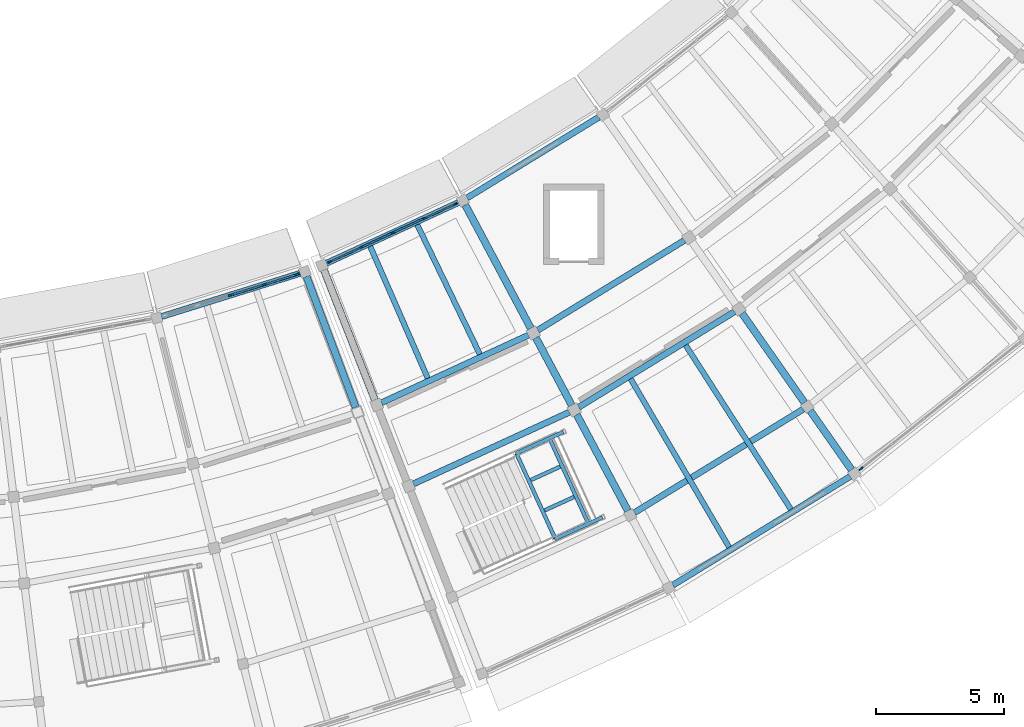
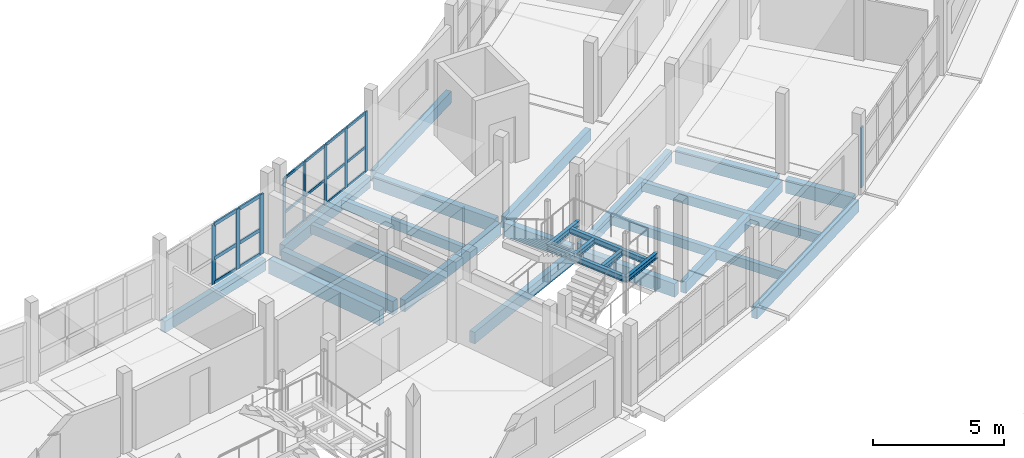
# One storey, part 28 of 66: 27 members, 26 beams, 3 elements without a shape of their own.
"""IFC4 building model written with IfcOpenShell, lengths in metres."""

from ifc_helpers import new_model, si_unit, direction, frame, origin, origin_2d, place, context, subcontext, project, spatial, rectangle, i_section, extrude, material, layer, layer_set, material_profile, profile_set, type_object, element, aggregate, save


model = new_model("IFC4")

# Units and contexts
model_context = context("Model", 3, precision=1e-05, world=origin(), true_north=direction((0.0, 1.0)))
body_context = subcontext(model_context, "Body", "Model", "MODEL_VIEW")
ifc_project = project(units=[si_unit("LENGTHUNIT", "METRE"), si_unit("AREAUNIT", "SQUARE_METRE"), si_unit("VOLUMEUNIT", "CUBIC_METRE"), si_unit("PLANEANGLEUNIT", "RADIAN"), si_unit("MASSUNIT", "GRAM", prefix="KILO")], contexts=[model_context])

# Site, building, storey
site_placement = place(None, origin())
site = spatial("IfcSite", under=ifc_project, at=site_placement, CompositionType="ELEMENT")
building_placement = place(site_placement, origin())
building = spatial("IfcBuilding", under=site, at=building_placement, Name="Caldaven Crescent School", CompositionType="ELEMENT")
storey_placement = place(building_placement, frame((0.0, 0.0, 8.159912109375)))
storey = spatial("IfcBuildingStorey", under=building, at=storey_placement, Name="L02", CompositionType="ELEMENT", Elevation=8.159912109375)

# Beams
ifc_material_1 = material(Name="Glulam MLE24h (GL28h)", Category="wood")
ifc_material_profile_1 = material_profile(ifc_material_1, rectangle(XDim=0.239990234375, YDim=0.5400390625, at=origin_2d()), Name="MLE 240x540")
ifc_profile_set_1 = profile_set([ifc_material_profile_1], Name="Glulam MLE24h (GL28h)")
beam_type_1 = type_object("IfcBeamType", Name="BM-GL54", PredefinedType="BEAM", material=ifc_profile_set_1)
beam_1_placement = place(storey_placement, frame((109.453369140625, 41.802978515625, -0.52001953125), z_axis=(0.908521604568, 0.417837880083, 0.0), x_axis=(-0.417837880083, 0.908521604568, 0.0)))
element("IfcBeam", 1, at=beam_1_placement, inside=storey, type_object=beam_type_1, Name="BMT-V4E-L02-1300", PredefinedType="BEAM", context=body_context, shape_type="SweptSolid", body=[
    extrude(rectangle(XDim=0.239990234375, YDim=0.5400390625, at=origin_2d()), origin(), (0.0, 0.0, 1.0), 6.307373046875),
])
beam_2_placement = place(storey_placement, frame((110.693603515625, 38.637451171875, -0.52001953125), z_axis=(0.908529189987, 0.41782138641, 0.0), x_axis=(-0.41782138641, 0.908529189987, 0.0)))
element("IfcBeam", 2, at=beam_2_placement, inside=storey, type_object=beam_type_1, Name="BMT-V4E-L02-1301", PredefinedType="BEAM", context=body_context, shape_type="SweptSolid", body=[
    extrude(rectangle(XDim=0.239990234375, YDim=0.5400390625, at=origin_2d()), origin(), (0.0, 0.0, 1.0), 6.69921875),
])
beam_3_placement = place(storey_placement, frame((115.544921875, 44.63134765625, -0.52001953125), z_axis=(0.85265146304, 0.52248012649, 0.0), x_axis=(-0.52248012649, 0.85265146304, 0.0)))
element("IfcBeam", 3, at=beam_3_placement, inside=storey, type_object=beam_type_1, Name="BMT-V4E-L02-1307", PredefinedType="BEAM", context=body_context, shape_type="SweptSolid", body=[
    extrude(rectangle(XDim=0.239990234375, YDim=0.5400390625, at=origin_2d()), origin(), (0.0, 0.0, 1.0), 6.708251953125),
])
beam_4_placement = place(storey_placement, frame((117.14111328125, 41.629150390625, -0.52001953125), z_axis=(0.852628835063, 0.522517051989, 0.0), x_axis=(-0.522517051989, 0.852628835063, 0.0)))
element("IfcBeam", 4, at=beam_4_placement, inside=storey, type_object=beam_type_1, Name="BMT-V4E-L02-1308", PredefinedType="BEAM", context=body_context, shape_type="SweptSolid", body=[
    extrude(rectangle(XDim=0.239990234375, YDim=0.5400390625, at=origin_2d()), origin(), (0.0, 0.0, 1.0), 7.12353515625),
])
beam_5_placement = place(storey_placement, frame((119.3115234375, 37.515625, -0.52001953125), z_axis=(0.852628517966, 0.522517569419, 0.0), x_axis=(-0.522517569419, 0.852628517966, 0.0)))
element("IfcBeam", 5, at=beam_5_placement, inside=storey, type_object=beam_type_1, Name="BMT-V4E-L02-1309", PredefinedType="BEAM", context=body_context, shape_type="SweptSolid", body=[
    extrude(rectangle(XDim=0.239990234375, YDim=0.5400390625, at=origin_2d()), origin(), (0.0, 0.0, 1.0), 7.72119140625),
])
ifc_material_profile_2 = material_profile(ifc_material_1, rectangle(XDim=0.280029296875, YDim=0.6298828125, at=origin_2d()), Name="MLE 280x630")
ifc_profile_set_2 = profile_set([ifc_material_profile_2], Name="Glulam MLE24h (GL28h)")
beam_type_2 = type_object("IfcBeamType", Name="BM-GL63", PredefinedType="BEAM", material=ifc_profile_set_2)
for number, where, z_axis, x_axis, name in (
    (6, (107.202392578125, 46.9873046875, -0.56494140625), (0.364799249955, -0.931086197531, 0.0), (0.931086197531, 0.364799249955, 0.0), "BMR-V4E-L02-1275"),
    (7, (112.712890625, 49.521728515625, -0.56494140625), (0.469468235073, -0.882949362227, 0.0), (0.882949362227, 0.469468235073, 0.0), "BMR-V4E-L02-1279"),
):
    element("IfcBeam", number, at=place(storey_placement, frame(where, z_axis=z_axis, x_axis=x_axis)), inside=storey, type_object=beam_type_2, Name=name, PredefinedType="BEAM", context=body_context, shape_type="SweptSolid", body=[
        extrude(rectangle(XDim=0.280029296875, YDim=0.6298828125, at=origin_2d()), origin(), (0.0, 0.0, 1.0), 5.455078125),
    ])
beam_6_placement = place(storey_placement, frame((115.466552734375, 44.34326171875, -0.56494140625), z_axis=(0.46941390334, -0.882978248515, 0.0), x_axis=(0.882978248515, 0.46941390334, 0.0)))
element("IfcBeam", 8, at=beam_6_placement, inside=storey, type_object=beam_type_2, Name="BMR-V4E-L02-1280", PredefinedType="BEAM", context=body_context, shape_type="SweptSolid", body=[
    extrude(rectangle(XDim=0.280029296875, YDim=0.6298828125, at=origin_2d()), origin(), (0.0, 0.0, 1.0), 2.989990234375),
])
for number, where, z_axis, x_axis, name in (
    (9, (117.062744140625, 41.341064453125, -0.56494140625), (0.469474034945, -0.882946278384, 0.0), (0.882946278384, 0.469474034945, 0.0), "BMR-V4E-L02-1281"),
    (10, (123.50732421875, 45.290283203125, -0.56494140625), (0.573570167525, -0.819156433732, 0.0), (0.819156433732, 0.573570167525, 0.0), "BMR-V4E-L02-1285"),
):
    element("IfcBeam", number, at=place(storey_placement, frame(where, z_axis=z_axis, x_axis=x_axis)), inside=storey, type_object=beam_type_2, Name=name, PredefinedType="BEAM", context=body_context, shape_type="SweptSolid", body=[
        extrude(rectangle(XDim=0.280029296875, YDim=0.6298828125, at=origin_2d()), origin(), (0.0, 0.0, 1.0), 4.2548828125),
    ])
beam_7_placement = place(storey_placement, frame((126.165771484375, 41.49365234375, -0.56494140625), z_axis=(0.573555306454, -0.819166839196, 0.0), x_axis=(0.819166839196, 0.573555306454, 0.0)))
element("IfcBeam", 11, at=beam_7_placement, inside=storey, type_object=beam_type_2, Name="BMR-V4E-L02-1286", PredefinedType="BEAM", context=body_context, shape_type="SweptSolid", body=[
    extrude(rectangle(XDim=0.280029296875, YDim=0.6298828125, at=origin_2d()), origin(), (0.0, 0.0, 1.0), 2.820068359375),
])
ifc_material_profile_3 = material_profile(ifc_material_1, rectangle(XDim=0.280029296875, YDim=0.68994140625, at=origin_2d()), Name="MLE 280x690")
ifc_profile_set_3 = profile_set([ifc_material_profile_3], Name="Glulam MLE24h (GL28h)")
beam_type_3 = type_object("IfcBeamType", Name="BM-GL69", PredefinedType="BEAM", material=ifc_profile_set_3)
beam_8_placement = place(storey_placement, frame((106.525634765625, 46.7275390625, -0.594970703125), z_axis=(0.351957103113, -0.936016131041, 0.0), x_axis=(0.936016131041, 0.351957103113, 0.0)))
element("IfcBeam", 12, at=beam_8_placement, inside=storey, type_object=beam_type_3, Name="BMR-V5-L02-1224", PredefinedType="BEAM", context=body_context, shape_type="SweptSolid", body=[
    extrude(rectangle(XDim=0.280029296875, YDim=0.68994140625, at=origin_2d()), origin(), (0.0, 0.0, 1.0), 5.455078125),
])
ifc_material_2 = material(Name="Steel ASTM A572 Grade 50", Category="steel")
ifc_material_profile_4 = material_profile(ifc_material_2, i_section(OverallWidth=0.14599609375, OverallDepth=0.258056640625, WebThickness=0.006103515625, FlangeThickness=0.009033203125, FilletRadius=0.011962890625, at=origin_2d()), Name="W250x33")
ifc_profile_set_4 = profile_set([ifc_material_profile_4], Name="Steel ASTM A572 Grade 50")
beam_type_4 = type_object("IfcBeamType", Name="BM-W25", PredefinedType="BEAM", material=ifc_profile_set_4)
beam_9_placement = place(storey_placement, frame((116.19921875, 36.4853515625, 1.546142578125), z_axis=(0.909970452599, 0.414673094614, 0.0), x_axis=(-0.414673094614, 0.909970452599, 0.0)))
element("IfcBeam", 13, at=beam_9_placement, inside=storey, type_object=beam_type_4, Name="BM-STSIDE-ST4-L02-SL", PredefinedType="BEAM", context=body_context, shape_type="SweptSolid", body=[
    extrude(i_section(OverallWidth=0.14599609375, OverallDepth=0.258056640625, WebThickness=0.006103515625, FlangeThickness=0.009033203125, FilletRadius=0.011962890625, at=origin_2d()), origin(), (0.0, 0.0, 1.0), 2.050048828125),
])
beam_10_placement = place(storey_placement, frame((114.681640625, 39.81591796875, 1.546142578125), z_axis=(0.90994997121, 0.414718036617, 0.0), x_axis=(-0.414718036617, 0.90994997121, 0.0)))
element("IfcBeam", 14, at=beam_10_placement, inside=storey, type_object=beam_type_4, Name="BM-STSIDE-ST4-L02-SR", PredefinedType="BEAM", context=body_context, shape_type="SweptSolid", body=[
    extrude(i_section(OverallWidth=0.14599609375, OverallDepth=0.258056640625, WebThickness=0.006103515625, FlangeThickness=0.009033203125, FilletRadius=0.011962890625, at=origin_2d()), origin(), (0.0, 0.0, 1.0), 2.0498046875),
])
for number, where, z_axis, x_axis, name in (
    (15, (116.2265625, 36.497802734375, 1.546142578125), (-0.414692271789, 0.909961713326, 0.0), (-0.909961713326, -0.414692271789, 0.0), "BM-STLND-ST4-L02-IN"),
    (16, (117.518798828125, 37.086669921875, 1.546142578125), (-0.414692271789, 0.909961713326, 0.0), (-0.909961713326, -0.414692271789, 0.0), "BM-STLND-ST4-L02-OUT"),
):
    element("IfcBeam", number, at=place(storey_placement, frame(where, z_axis=z_axis, x_axis=x_axis)), inside=storey, type_object=beam_type_4, Name=name, PredefinedType="BEAM", context=body_context, shape_type="SweptSolid", body=[
        extrude(i_section(OverallWidth=0.14599609375, OverallDepth=0.258056640625, WebThickness=0.006103515625, FlangeThickness=0.009033203125, FilletRadius=0.011962890625, at=origin_2d()), origin(), (0.0, 0.0, 1.0), 3.66015625),
    ])

# Curtain wall, members
ifc_material_3 = material(Name="Anodised aluminium AA 6063-T6 and low-E double glazing", Category="aluminium")
ifc_layer_1 = layer(ifc_material_3, 0.169921875)
ifc_layer_set_1 = layer_set([ifc_layer_1], Name="Anodised aluminium AA 6063-T6 and low-E double glazing")
curtain_wall_type_1 = type_object("IfcCurtainWallType", Name="CW-SYS1", PredefinedType="NOTDEFINED", material=ifc_layer_set_1)
curtain_wall_1_placement = place(storey_placement, origin())
curtain_wall_1 = element("IfcCurtainWall", 17, at=curtain_wall_1_placement, inside=storey, type_object=curtain_wall_type_1, Name="CW-L02-149", PredefinedType="NOTDEFINED")
ifc_material_4 = material(Name="Anodised aluminium AA 6063-T6", Category="aluminium")
ifc_material_profile_5 = material_profile(ifc_material_4, rectangle(XDim=0.06005859375, YDim=0.14990234375, at=origin_2d()), Name="CWM 60x150")
ifc_profile_set_5 = profile_set([ifc_material_profile_5], Name="Anodised aluminium AA 6063-T6")
member_type_1 = type_object("IfcMemberType", Name="CWM-T1", PredefinedType="MULLION", material=ifc_profile_set_5)
member_1_placement = place(storey_placement, frame((107.432861328125, 47.30224609375, 0.0), z_axis=(0.0, 0.0, 1.0), x_axis=(-0.417824094306, 0.908527944654, 0.0)))
member_1 = element("IfcMember", 18, at=member_1_placement, type_object=member_type_1, Name="CW1 mullion 1", PredefinedType="MULLION", context=body_context, shape_type="SweptSolid", body=[
    extrude(rectangle(XDim=0.06005859375, YDim=0.14990234375, at=origin_2d()), origin(), (0.0, 0.0, 1.0), 2.780029296875),
])
member_2_placement = place(storey_placement, frame((108.64208984375, 47.858154296875, 0.0), z_axis=(0.0, 0.0, 1.0), x_axis=(-0.417824094306, 0.908527944654, 0.0)))
member_2 = element("IfcMember", 19, at=member_2_placement, type_object=member_type_1, Name="CW1 mullion 2", PredefinedType="MULLION", context=body_context, shape_type="SweptSolid", body=[
    extrude(rectangle(XDim=0.06005859375, YDim=0.14990234375, at=origin_2d()), origin(), (0.0, 0.0, 1.0), 2.780029296875),
])
member_3_placement = place(storey_placement, frame((109.87841796875, 48.4267578125, 0.0), z_axis=(0.0, 0.0, 1.0), x_axis=(-0.417824094306, 0.908527944654, 0.0)))
member_3 = element("IfcMember", 20, at=member_3_placement, type_object=member_type_1, Name="CW1 mullion 3", PredefinedType="MULLION", context=body_context, shape_type="SweptSolid", body=[
    extrude(rectangle(XDim=0.06005859375, YDim=0.14990234375, at=origin_2d()), origin(), (0.0, 0.0, 1.0), 2.780029296875),
])
member_4_placement = place(storey_placement, frame((111.11474609375, 48.995361328125, 0.0), z_axis=(0.0, 0.0, 1.0), x_axis=(-0.417824094306, 0.908527944654, 0.0)))
member_4 = element("IfcMember", 21, at=member_4_placement, type_object=member_type_1, Name="CW1 mullion 4", PredefinedType="MULLION", context=body_context, shape_type="SweptSolid", body=[
    extrude(rectangle(XDim=0.06005859375, YDim=0.14990234375, at=origin_2d()), origin(), (0.0, 0.0, 1.0), 2.780029296875),
])
member_5_placement = place(storey_placement, frame((112.323974609375, 49.551513671875, 0.0), z_axis=(0.0, 0.0, 1.0), x_axis=(-0.417824094306, 0.908527944654, 0.0)))
member_5 = element("IfcMember", 22, at=member_5_placement, type_object=member_type_1, Name="CW1 mullion 5", PredefinedType="MULLION", context=body_context, shape_type="SweptSolid", body=[
    extrude(rectangle(XDim=0.06005859375, YDim=0.14990234375, at=origin_2d()), origin(), (0.0, 0.0, 1.0), 2.780029296875),
])

# Curtain wall, member
curtain_wall_2_placement = place(storey_placement, origin())
curtain_wall_2 = element("IfcCurtainWall", 23, at=curtain_wall_2_placement, inside=storey, type_object=curtain_wall_type_1, Name="CW-L02-152", PredefinedType="NOTDEFINED")
ifc_material_profile_6 = material_profile(ifc_material_4, rectangle(XDim=0.06494140625, YDim=0.179931640625, at=origin_2d()), Name="CWM 65x180")
ifc_profile_set_6 = profile_set([ifc_material_profile_6], Name="Anodised aluminium AA 6063-T6")
member_type_2 = type_object("IfcMemberType", Name="CWM-T2", PredefinedType="MULLION", material=ifc_profile_set_6)
member_6_placement = place(storey_placement, frame((128.15234375, 39.23486328125, 0.0), z_axis=(0.0, 0.0, 1.0), x_axis=(-0.622514235279, 0.782608476107, 0.0)))
member_6 = element("IfcMember", 24, at=member_6_placement, type_object=member_type_2, Name="CW1 mullion 1", PredefinedType="MULLION", context=body_context, shape_type="SweptSolid", body=[
    extrude(rectangle(XDim=0.06494140625, YDim=0.179931640625, at=origin_2d()), origin(), (0.0, 0.0, 1.0), 2.780029296875),
])
aggregate(curtain_wall_2, [member_6])

# Curtain wall, members
ifc_layer_2 = layer(ifc_material_3, 0.22998046875)
ifc_layer_set_2 = layer_set([ifc_layer_2], Name="Anodised aluminium AA 6063-T6 and low-E double glazing")
curtain_wall_type_2 = type_object("IfcCurtainWallType", Name="CW-SYS4", PredefinedType="NOTDEFINED", material=ifc_layer_set_2)
curtain_wall_3_placement = place(storey_placement, origin())
curtain_wall_3 = element("IfcCurtainWall", 25, at=curtain_wall_3_placement, inside=storey, type_object=curtain_wall_type_2, Name="CW-L02-148", PredefinedType="NOTDEFINED")
ifc_material_profile_7 = material_profile(ifc_material_4, rectangle(XDim=0.070068359375, YDim=0.2099609375, at=origin_2d()), Name="CWM 70x210")
ifc_profile_set_7 = profile_set([ifc_material_profile_7], Name="Anodised aluminium AA 6063-T6")
member_type_3 = type_object("IfcMemberType", Name="CWM-T3", PredefinedType="MULLION", material=ifc_profile_set_7)
member_7_placement = place(storey_placement, frame((103.57373046875, 46.0068359375, 0.0), z_axis=(0.0, 0.0, 1.0), x_axis=(-0.297419758694, 0.954746818344, 0.0)))
member_7 = element("IfcMember", 26, at=member_7_placement, type_object=member_type_3, Name="CW4 mullion 3", PredefinedType="MULLION", context=body_context, shape_type="SweptSolid", body=[
    extrude(rectangle(XDim=0.070068359375, YDim=0.2099609375, at=origin_2d()), origin(), (0.0, 0.0, 1.0), 2.780029296875),
])
member_8_placement = place(storey_placement, frame((104.873046875, 46.411376953125, 0.0), z_axis=(0.0, 0.0, 1.0), x_axis=(-0.297419758694, 0.954746818344, 0.0)))
member_8 = element("IfcMember", 27, at=member_8_placement, type_object=member_type_3, Name="CW4 mullion 4", PredefinedType="MULLION", context=body_context, shape_type="SweptSolid", body=[
    extrude(rectangle(XDim=0.070068359375, YDim=0.2099609375, at=origin_2d()), origin(), (0.0, 0.0, 1.0), 2.780029296875),
])
member_9_placement = place(storey_placement, frame((106.138916015625, 46.805908203125, 0.0), z_axis=(0.0, 0.0, 1.0), x_axis=(-0.297419758694, 0.954746818344, 0.0)))
member_9 = element("IfcMember", 28, at=member_9_placement, type_object=member_type_3, Name="CW4 mullion 5", PredefinedType="MULLION", context=body_context, shape_type="SweptSolid", body=[
    extrude(rectangle(XDim=0.070068359375, YDim=0.2099609375, at=origin_2d()), origin(), (0.0, 0.0, 1.0), 2.780029296875),
])

# Member
ifc_material_profile_8 = material_profile(ifc_material_4, rectangle(XDim=0.06005859375, YDim=0.1201171875, at=origin_2d()), Name="CWT 60x120")
ifc_profile_set_8 = profile_set([ifc_material_profile_8], Name="Anodised aluminium AA 6063-T6")
member_type_4 = type_object("IfcMemberType", Name="CWT-T1", PredefinedType="USERDEFINED", material=ifc_profile_set_8)
member_10_placement = place(storey_placement, frame((107.460205078125, 47.314697265625, 0.030029296875), z_axis=(0.908515250434, 0.417851695854, 0.0), x_axis=(-0.417851695854, 0.908515250434, 0.0)))
member_10 = element("IfcMember", 29, at=member_10_placement, type_object=member_type_4, Name="CW1 transom 1.1", ObjectType="TRANSOM", PredefinedType="USERDEFINED", context=body_context, shape_type="SweptSolid", body=[
    extrude(rectangle(XDim=0.06005859375, YDim=0.1201171875, at=origin_2d()), origin(), (0.0, 0.0, 1.0), 1.270751953125),
])

member_11_placement = place(storey_placement, frame((107.460205078125, 47.314697265625, 1.16796875), z_axis=(0.908515250434, 0.417851695854, 0.0), x_axis=(-0.417851695854, 0.908515250434, 0.0)))
member_11 = element("IfcMember", 30, at=member_11_placement, type_object=member_type_4, Name="CW1 transom 1.2", ObjectType="TRANSOM", PredefinedType="USERDEFINED", context=body_context, shape_type="SweptSolid", body=[
    extrude(rectangle(XDim=0.06005859375, YDim=0.1201171875, at=origin_2d()), origin(), (0.0, 0.0, 1.0), 1.270751953125),
])

member_12_placement = place(storey_placement, frame((107.460205078125, 47.314697265625, 2.75), z_axis=(0.908515250434, 0.417851695854, 0.0), x_axis=(-0.417851695854, 0.908515250434, 0.0)))
member_12 = element("IfcMember", 31, at=member_12_placement, type_object=member_type_4, Name="CW1 transom 1.3", ObjectType="TRANSOM", PredefinedType="USERDEFINED", context=body_context, shape_type="SweptSolid", body=[
    extrude(rectangle(XDim=0.06005859375, YDim=0.1201171875, at=origin_2d()), origin(), (0.0, 0.0, 1.0), 1.270751953125),
])

member_13_placement = place(storey_placement, frame((108.669189453125, 47.870849609375, 0.030029296875), z_axis=(0.908551721901, 0.417772388546, 0.0), x_axis=(-0.417772388546, 0.908551721901, 0.0)))
member_13 = element("IfcMember", 32, at=member_13_placement, type_object=member_type_4, Name="CW1 transom 2.1", ObjectType="TRANSOM", PredefinedType="USERDEFINED", context=body_context, shape_type="SweptSolid", body=[
    extrude(rectangle(XDim=0.06005859375, YDim=0.1201171875, at=origin_2d()), origin(), (0.0, 0.0, 1.0), 1.30078125),
])

member_14_placement = place(storey_placement, frame((108.669189453125, 47.870849609375, 1.16796875), z_axis=(0.908551721901, 0.417772388546, 0.0), x_axis=(-0.417772388546, 0.908551721901, 0.0)))
member_14 = element("IfcMember", 33, at=member_14_placement, type_object=member_type_4, Name="CW1 transom 2.2", ObjectType="TRANSOM", PredefinedType="USERDEFINED", context=body_context, shape_type="SweptSolid", body=[
    extrude(rectangle(XDim=0.06005859375, YDim=0.1201171875, at=origin_2d()), origin(), (0.0, 0.0, 1.0), 1.30078125),
])

member_15_placement = place(storey_placement, frame((108.669189453125, 47.870849609375, 2.75), z_axis=(0.908551721901, 0.417772388546, 0.0), x_axis=(-0.417772388546, 0.908551721901, 0.0)))
member_15 = element("IfcMember", 34, at=member_15_placement, type_object=member_type_4, Name="CW1 transom 2.3", ObjectType="TRANSOM", PredefinedType="USERDEFINED", context=body_context, shape_type="SweptSolid", body=[
    extrude(rectangle(XDim=0.06005859375, YDim=0.1201171875, at=origin_2d()), origin(), (0.0, 0.0, 1.0), 1.30078125),
])

member_16_placement = place(storey_placement, frame((109.90576171875, 48.439453125, 0.030029296875), z_axis=(0.908551721901, 0.417772388546, 0.0), x_axis=(-0.417772388546, 0.908551721901, 0.0)))
member_16 = element("IfcMember", 35, at=member_16_placement, type_object=member_type_4, Name="CW1 transom 3.1", ObjectType="TRANSOM", PredefinedType="USERDEFINED", context=body_context, shape_type="SweptSolid", body=[
    extrude(rectangle(XDim=0.06005859375, YDim=0.1201171875, at=origin_2d()), origin(), (0.0, 0.0, 1.0), 1.30078125),
])

member_17_placement = place(storey_placement, frame((109.90576171875, 48.439453125, 1.16796875), z_axis=(0.908551721901, 0.417772388546, 0.0), x_axis=(-0.417772388546, 0.908551721901, 0.0)))
member_17 = element("IfcMember", 36, at=member_17_placement, type_object=member_type_4, Name="CW1 transom 3.2", ObjectType="TRANSOM", PredefinedType="USERDEFINED", context=body_context, shape_type="SweptSolid", body=[
    extrude(rectangle(XDim=0.06005859375, YDim=0.1201171875, at=origin_2d()), origin(), (0.0, 0.0, 1.0), 1.30078125),
])

member_18_placement = place(storey_placement, frame((109.90576171875, 48.439453125, 2.75), z_axis=(0.908551721901, 0.417772388546, 0.0), x_axis=(-0.417772388546, 0.908551721901, 0.0)))
member_18 = element("IfcMember", 37, at=member_18_placement, type_object=member_type_4, Name="CW1 transom 3.3", ObjectType="TRANSOM", PredefinedType="USERDEFINED", context=body_context, shape_type="SweptSolid", body=[
    extrude(rectangle(XDim=0.06005859375, YDim=0.1201171875, at=origin_2d()), origin(), (0.0, 0.0, 1.0), 1.30078125),
])

member_19_placement = place(storey_placement, frame((111.14208984375, 49.008056640625, 0.030029296875), z_axis=(0.908515250434, 0.417851695854, 0.0), x_axis=(-0.417851695854, 0.908515250434, 0.0)))
member_19 = element("IfcMember", 38, at=member_19_placement, type_object=member_type_4, Name="CW1 transom 4.1", ObjectType="TRANSOM", PredefinedType="USERDEFINED", context=body_context, shape_type="SweptSolid", body=[
    extrude(rectangle(XDim=0.06005859375, YDim=0.1201171875, at=origin_2d()), origin(), (0.0, 0.0, 1.0), 1.270751953125),
])

member_20_placement = place(storey_placement, frame((111.14208984375, 49.008056640625, 1.16796875), z_axis=(0.908515250434, 0.417851695854, 0.0), x_axis=(-0.417851695854, 0.908515250434, 0.0)))
member_20 = element("IfcMember", 39, at=member_20_placement, type_object=member_type_4, Name="CW1 transom 4.2", ObjectType="TRANSOM", PredefinedType="USERDEFINED", context=body_context, shape_type="SweptSolid", body=[
    extrude(rectangle(XDim=0.06005859375, YDim=0.1201171875, at=origin_2d()), origin(), (0.0, 0.0, 1.0), 1.270751953125),
])

member_21_placement = place(storey_placement, frame((111.14208984375, 49.008056640625, 2.75), z_axis=(0.908515250434, 0.417851695854, 0.0), x_axis=(-0.417851695854, 0.908515250434, 0.0)))
member_21 = element("IfcMember", 40, at=member_21_placement, type_object=member_type_4, Name="CW1 transom 4.3", ObjectType="TRANSOM", PredefinedType="USERDEFINED", context=body_context, shape_type="SweptSolid", body=[
    extrude(rectangle(XDim=0.06005859375, YDim=0.1201171875, at=origin_2d()), origin(), (0.0, 0.0, 1.0), 1.270751953125),
])

aggregate(curtain_wall_1, [member_1, member_2, member_3, member_4, member_5, member_10, member_11, member_12, member_13, member_14, member_15, member_16, member_17, member_18, member_19, member_20, member_21])

ifc_material_profile_9 = material_profile(ifc_material_4, rectangle(XDim=0.070068359375, YDim=0.159912109375, at=origin_2d()), Name="CWT 70x160")
ifc_profile_set_9 = profile_set([ifc_material_profile_9], Name="Anodised aluminium AA 6063-T6")
member_type_5 = type_object("IfcMemberType", Name="CWT-T3", PredefinedType="USERDEFINED", material=ifc_profile_set_9)
member_22_placement = place(storey_placement, frame((103.607177734375, 46.01708984375, 0.03515625), z_axis=(0.954721963294, 0.297499534125, 0.0), x_axis=(-0.297499534125, 0.954721963294, 0.0)))
member_22 = element("IfcMember", 41, at=member_22_placement, type_object=member_type_5, Name="CW4 transom 3.1", ObjectType="TRANSOM", PredefinedType="USERDEFINED", context=body_context, shape_type="SweptSolid", body=[
    extrude(rectangle(XDim=0.070068359375, YDim=0.159912109375, at=origin_2d()), origin(), (0.0, 0.0, 1.0), 1.290771484375),
])

member_23_placement = place(storey_placement, frame((103.607177734375, 46.01708984375, 1.16796875), z_axis=(0.954721963294, 0.297499534125, 0.0), x_axis=(-0.297499534125, 0.954721963294, 0.0)))
member_23 = element("IfcMember", 42, at=member_23_placement, type_object=member_type_5, Name="CW4 transom 3.2", ObjectType="TRANSOM", PredefinedType="USERDEFINED", context=body_context, shape_type="SweptSolid", body=[
    extrude(rectangle(XDim=0.070068359375, YDim=0.159912109375, at=origin_2d()), origin(), (0.0, 0.0, 1.0), 1.290771484375),
])

member_24_placement = place(storey_placement, frame((103.607177734375, 46.01708984375, 2.7451171875), z_axis=(0.954721963294, 0.297499534125, 0.0), x_axis=(-0.297499534125, 0.954721963294, 0.0)))
member_24 = element("IfcMember", 43, at=member_24_placement, type_object=member_type_5, Name="CW4 transom 3.3", ObjectType="TRANSOM", PredefinedType="USERDEFINED", context=body_context, shape_type="SweptSolid", body=[
    extrude(rectangle(XDim=0.070068359375, YDim=0.159912109375, at=origin_2d()), origin(), (0.0, 0.0, 1.0), 1.290771484375),
])

member_25_placement = place(storey_placement, frame((104.906494140625, 46.421875, 0.03515625), z_axis=(0.954739058626, 0.297444667012, 0.0), x_axis=(-0.297444667012, 0.954739058626, 0.0)))
member_25 = element("IfcMember", 44, at=member_25_placement, type_object=member_type_5, Name="CW4 transom 4.1", ObjectType="TRANSOM", PredefinedType="USERDEFINED", context=body_context, shape_type="SweptSolid", body=[
    extrude(rectangle(XDim=0.070068359375, YDim=0.159912109375, at=origin_2d()), origin(), (0.0, 0.0, 1.0), 1.255859375),
])

member_26_placement = place(storey_placement, frame((104.906494140625, 46.421875, 1.16796875), z_axis=(0.954739058626, 0.297444667012, 0.0), x_axis=(-0.297444667012, 0.954739058626, 0.0)))
member_26 = element("IfcMember", 45, at=member_26_placement, type_object=member_type_5, Name="CW4 transom 4.2", ObjectType="TRANSOM", PredefinedType="USERDEFINED", context=body_context, shape_type="SweptSolid", body=[
    extrude(rectangle(XDim=0.070068359375, YDim=0.159912109375, at=origin_2d()), origin(), (0.0, 0.0, 1.0), 1.255859375),
])

member_27_placement = place(storey_placement, frame((104.906494140625, 46.421875, 2.7451171875), z_axis=(0.954739058626, 0.297444667012, 0.0), x_axis=(-0.297444667012, 0.954739058626, 0.0)))
member_27 = element("IfcMember", 46, at=member_27_placement, type_object=member_type_5, Name="CW4 transom 4.3", ObjectType="TRANSOM", PredefinedType="USERDEFINED", context=body_context, shape_type="SweptSolid", body=[
    extrude(rectangle(XDim=0.070068359375, YDim=0.159912109375, at=origin_2d()), origin(), (0.0, 0.0, 1.0), 1.255859375),
])

aggregate(curtain_wall_3, [member_7, member_8, member_9, member_22, member_23, member_24, member_25, member_26, member_27])

# Beams
ifc_material_profile_10 = material_profile(ifc_material_1, rectangle(XDim=0.2099609375, YDim=0.419921875, at=origin_2d()), Name="MLE 210x420")
ifc_profile_set_10 = profile_set([ifc_material_profile_10], Name="Glulam MLE24h (GL28h)")
beam_type_5 = type_object("IfcBeamType", Name="JS-GL42", PredefinedType="JOIST", material=ifc_profile_set_10)
beam_11_placement = place(storey_placement, frame((109.00927734375, 47.900634765625, -0.4599609375), z_axis=(0.400268713255, -0.916397816011, 0.0), x_axis=(0.916397816011, 0.400268713255, 0.0)))
element("IfcBeam", 47, at=beam_11_placement, inside=storey, type_object=beam_type_5, Name="JSR-V4E-L02-1304", PredefinedType="JOIST", context=body_context, shape_type="SweptSolid", body=[
    extrude(rectangle(XDim=0.2099609375, YDim=0.419921875, at=origin_2d()), origin(), (0.0, 0.0, 1.0), 5.611572265625),
])
beam_12_placement = place(storey_placement, frame((110.843505859375, 48.744140625, -0.4599609375), z_axis=(0.435252715728, -0.900308321327, 0.0), x_axis=(0.900308321327, 0.435252715728, 0.0)))
element("IfcBeam", 48, at=beam_12_placement, inside=storey, type_object=beam_type_5, Name="JSR-V4E-L02-1305", PredefinedType="JOIST", context=body_context, shape_type="SweptSolid", body=[
    extrude(rectangle(XDim=0.2099609375, YDim=0.419921875, at=origin_2d()), origin(), (0.0, 0.0, 1.0), 5.611328125),
])
beam_13_placement = place(storey_placement, frame((119.16552734375, 42.73486328125, -0.4599609375), z_axis=(0.505006034993, -0.863115811824, 0.0), x_axis=(0.863115811824, 0.505006034993, 0.0)))
element("IfcBeam", 49, at=beam_13_placement, inside=storey, type_object=beam_type_5, Name="JSR-V4E-L02-1311", PredefinedType="JOIST", context=body_context, shape_type="SweptSolid", body=[
    extrude(rectangle(XDim=0.2099609375, YDim=0.419921875, at=origin_2d()), origin(), (0.0, 0.0, 1.0), 7.60693359375),
])
beam_14_placement = place(storey_placement, frame((121.310546875, 44.049560546875, -0.4599609375), z_axis=(0.539777509401, -0.841807721719, 0.0), x_axis=(0.841807721719, 0.539777509401, 0.0)))
element("IfcBeam", 50, at=beam_14_placement, inside=storey, type_object=beam_type_5, Name="JSR-V4E-L02-1312", PredefinedType="JOIST", context=body_context, shape_type="SweptSolid", body=[
    extrude(rectangle(XDim=0.2099609375, YDim=0.419921875, at=origin_2d()), origin(), (0.0, 0.0, 1.0), 7.607177734375),
])
ifc_material_profile_11 = material_profile(ifc_material_2, i_section(OverallWidth=0.14599609375, OverallDepth=0.258056640625, WebThickness=0.006103515625, FlangeThickness=0.009033203125, FilletRadius=0.011962890625, at=origin_2d()), Name="W250x33")
ifc_profile_set_11 = profile_set([ifc_material_profile_11], Name="Steel ASTM A572 Grade 50")
beam_type_6 = type_object("IfcBeamType", Name="LN-W25", PredefinedType="LINTEL", material=ifc_profile_set_11)
for number, where, z_axis, x_axis, name in (
    (51, (115.81005859375, 37.604736328125, 1.546142578125), (0.909894759802, 0.414839156886, 0.0), (-0.414839156886, 0.909894759802, 0.0), "BM-STJST-ST4-L02-JL"),
    (52, (115.27099609375, 38.787841796875, 1.546142578125), (0.909967888005, 0.414678722387, 0.0), (-0.414678722387, 0.909967888005, 0.0), "BM-STJST-ST4-L02-JR"),
):
    element("IfcBeam", number, at=place(storey_placement, frame(where, z_axis=z_axis, x_axis=x_axis)), inside=storey, type_object=beam_type_6, Name=name, PredefinedType="LINTEL", context=body_context, shape_type="SweptSolid", body=[
        extrude(i_section(OverallWidth=0.14599609375, OverallDepth=0.258056640625, WebThickness=0.006103515625, FlangeThickness=0.009033203125, FilletRadius=0.011962890625, at=origin_2d()), origin(), (0.0, 0.0, 1.0), 1.260009765625),
    ])
ifc_material_profile_12 = material_profile(ifc_material_1, rectangle(XDim=0.239990234375, YDim=0.5400390625, at=origin_2d()), Name="MLE 240x540")
ifc_profile_set_12 = profile_set([ifc_material_profile_12], Name="Glulam MLE24h (GL28h)")
beam_type_7 = type_object("IfcBeamType", Name="SP-GL54", PredefinedType="SPANDREL", material=ifc_profile_set_12)
for number, where, z_axis, x_axis, name in (
    (53, (100.8701171875, 45.16455078125, -0.52001953125), (0.954752645565, 0.297401052093, 0.0), (-0.297401052093, 0.954752645565, 0.0), "BMT-V5-L02-1266"),
    (54, (107.3056640625, 47.24365234375, -0.52001953125), (0.908522527623, 0.417835873043, 0.0), (-0.417835873043, 0.908522527623, 0.0), "BMT-V4E-L02-1299"),
):
    element("IfcBeam", number, at=place(storey_placement, frame(where, z_axis=z_axis, x_axis=x_axis)), inside=storey, type_object=beam_type_7, Name=name, PredefinedType="SPANDREL", context=body_context, shape_type="SweptSolid", body=[
        extrude(rectangle(XDim=0.239990234375, YDim=0.5400390625, at=origin_2d()), origin(), (0.0, 0.0, 1.0), 5.66357421875),
    ])
beam_15_placement = place(storey_placement, frame((112.785888671875, 49.78857421875, -0.52001953125), z_axis=(0.852623968023, 0.522524993807, 0.0), x_axis=(-0.522524993807, 0.852623968023, 0.0)))
element("IfcBeam", 55, at=beam_15_placement, inside=storey, type_object=beam_type_7, Name="BMT-V4E-L02-1306", PredefinedType="SPANDREL", context=body_context, shape_type="SweptSolid", body=[
    extrude(rectangle(XDim=0.239990234375, YDim=0.5400390625, at=origin_2d()), origin(), (0.0, 0.0, 1.0), 6.02392578125),
])
beam_16_placement = place(storey_placement, frame((120.813720703125, 34.690185546875, -0.52001953125), z_axis=(0.852635422245, 0.522506303056, 0.0), x_axis=(-0.522506303056, 0.852635422245, 0.0)))
element("IfcBeam", 56, at=beam_16_placement, inside=storey, type_object=beam_type_7, Name="BMT-V4E-L02-1310", PredefinedType="SPANDREL", context=body_context, shape_type="SweptSolid", body=[
    extrude(rectangle(XDim=0.239990234375, YDim=0.5400390625, at=origin_2d()), origin(), (0.0, 0.0, 1.0), 8.11181640625),
])

save(model, "model.ifc")
